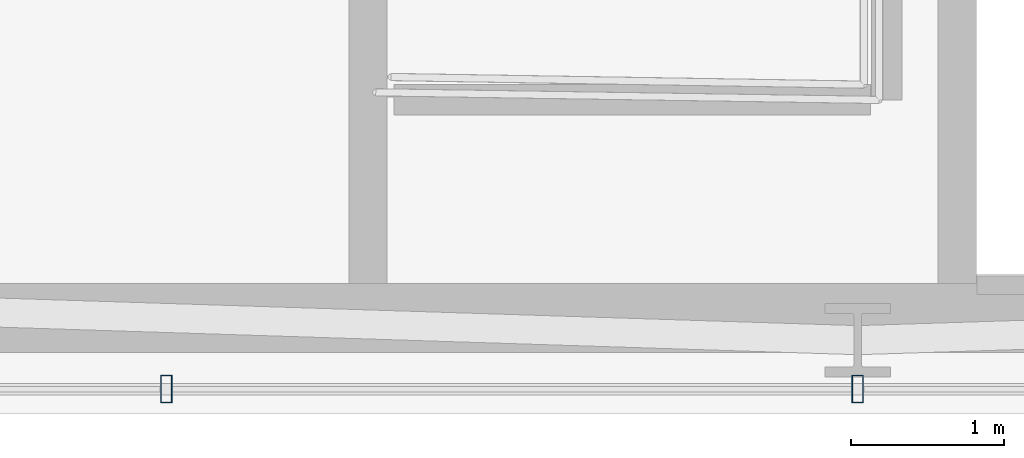
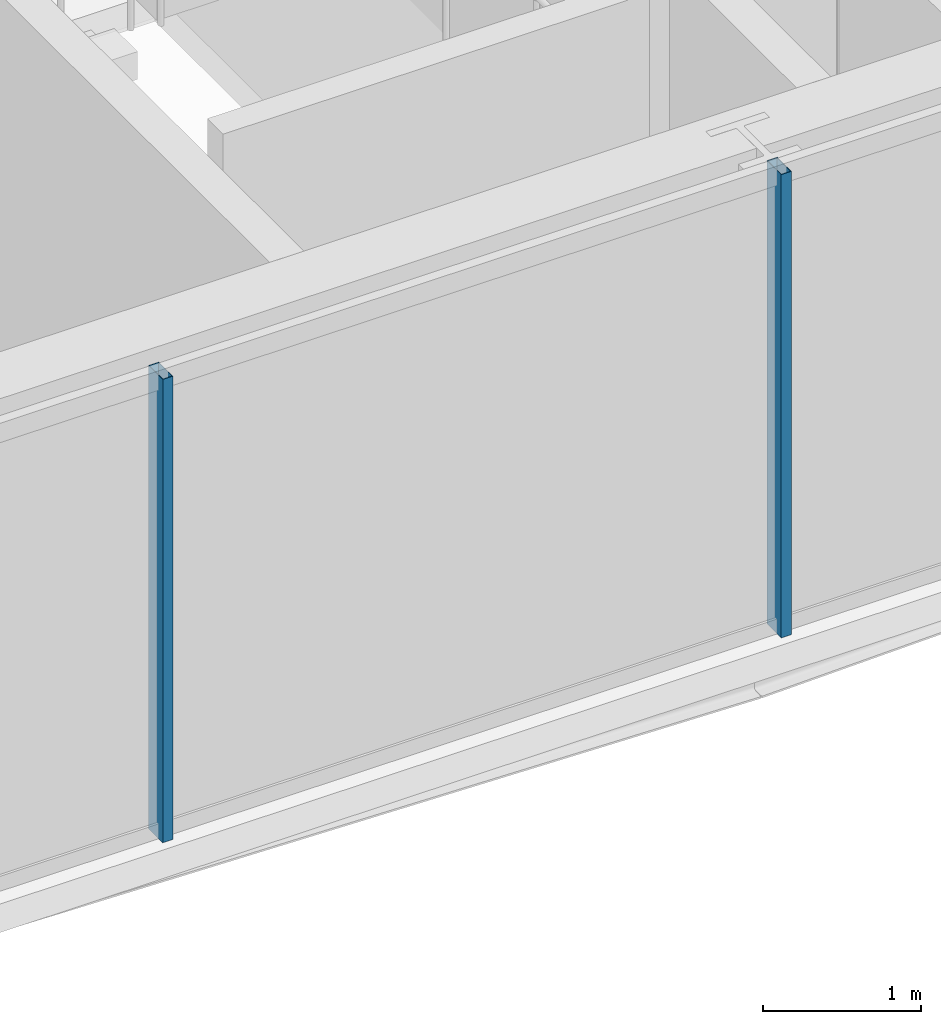
# One storey, part 7 of 32: 2 members, 1 element without a shape of its own.
"""IFC4 building model written with IfcOpenShell, lengths in metres."""

import ifcopenshell
import ifcopenshell.guid

model = None  # the IFC model being written
_history = None  # IfcOwnerHistory: only IFC2X3 demands one
_inside = {}  # id of a spatial element -> (the spatial element, [elements in it])
_under = {}  # id of a project, library or spatial element -> (it, [spatial elements below it])
_declared = {}  # id of a project -> (the project, [libraries it declares])
_typed = {}  # id of a type object -> (the type object, [elements of that type])
_made_of = {}  # id of a material, layer set ... -> (it, [elements and type objects made of it])


def new_model(schema):
    """Start an empty IFC model of exactly this schema.

    Asked for "IFC4X3", IfcOpenShell would pick the latest addendum, in which some entities
    have other attributes; the version numbers below select the first issue.
    IFC2X3 requires an IfcOwnerHistory on every rooted entity: one is made here for all.
    """
    global model, _history
    if schema == "IFC4X3":
        model = ifcopenshell.file(schema_version=(4, 3, 0, 0))
    else:
        model = ifcopenshell.file(schema=schema)
    _inside.clear()
    _under.clear()
    _declared.clear()
    _typed.clear()
    _made_of.clear()
    _history = None
    if model.schema == "IFC2X3":
        org = make("IfcOrganization", Name="unknown")
        user = make(
            "IfcPersonAndOrganization",
            ThePerson=make("IfcPerson", FamilyName="unknown"),
            TheOrganization=org,
        )
        app = make(
            "IfcApplication",
            ApplicationDeveloper=org,
            Version="unknown",
            ApplicationFullName="unknown",
            ApplicationIdentifier="unknown",
        )
        _history = make(
            "IfcOwnerHistory",
            OwningUser=user,
            OwningApplication=app,
            ChangeAction="ADDED",
            CreationDate=0,
        )
    return model


def make(cls, **values):
    """One entity of the class cls with the attributes given. An attribute that is None is left unset."""
    return model.create_entity(
        cls, **{name: value for name, value in values.items() if value is not None}
    )


def rooted(cls, **values):
    """An entity with a GlobalId (a new one), such as an element, a storey or a relation."""
    return make(cls, GlobalId=ifcopenshell.guid.new(), OwnerHistory=_history, **values)


def si_unit(unit_type, name, prefix=None):
    """IfcSIUnit, for example si_unit("LENGTHUNIT", "METRE", prefix="MILLI")."""
    return make("IfcSIUnit", UnitType=unit_type, Prefix=prefix, Name=name)


def assignment(units):
    """IfcUnitAssignment: the units of a project."""
    return None if units is None else make("IfcUnitAssignment", Units=units)


def point(xyz):
    """IfcCartesianPoint."""
    return None if xyz is None else make("IfcCartesianPoint", Coordinates=xyz)


def direction(xyz):
    """IfcDirection."""
    return None if xyz is None else make("IfcDirection", DirectionRatios=xyz)


def frame(location, z_axis=None, x_axis=None):
    """IfcAxis2Placement3D, a coordinate frame: its origin and axes. An axis left out is left unset."""
    return make(
        "IfcAxis2Placement3D",
        Location=point(location),
        Axis=direction(z_axis),
        RefDirection=direction(x_axis),
    )


def frame_2d(location, x_axis=None):
    """IfcAxis2Placement2D, a coordinate frame in the plane: its origin and x axis."""
    return make(
        "IfcAxis2Placement2D", Location=point(location), RefDirection=direction(x_axis)
    )


def origin():
    """The frame at (0, 0, 0) with its axes left unset."""
    return frame((0.0, 0.0, 0.0))


def origin_2d():
    """The frame at (0, 0) in the plane with its x axis left unset."""
    return frame_2d((0.0, 0.0))


def place(relative_to, where):
    """IfcLocalPlacement: puts the frame where relative to a parent placement (None: the world)."""
    return make(
        "IfcLocalPlacement", PlacementRelTo=relative_to, RelativePlacement=where
    )


def context(
    kind, dimensions, precision=None, world=None, true_north=None, identifier=None
):
    """IfcGeometricRepresentationContext, for example the 3D "Model" context."""
    return make(
        "IfcGeometricRepresentationContext",
        ContextIdentifier=identifier,
        ContextType=kind,
        CoordinateSpaceDimension=dimensions,
        Precision=precision,
        WorldCoordinateSystem=world,
        TrueNorth=true_north,
    )


def subcontext(parent, identifier, kind, view, scale=None):
    """IfcGeometricRepresentationSubContext, for example "Body" below "Model"."""
    return make(
        "IfcGeometricRepresentationSubContext",
        ContextIdentifier=identifier,
        ContextType=kind,
        ParentContext=parent,
        TargetScale=scale,
        TargetView=view,
    )


def project(units=None, contexts=None):
    """IfcProject with its units and contexts."""
    return rooted(
        "IfcProject",
        Name="project",
        RepresentationContexts=contexts,
        UnitsInContext=assignment(units),
    )


def spatial(cls, under=None, at=None, **own):
    """A site, building, storey or space (cls), placed at a placement, below another one or the project."""
    s = rooted(cls, ObjectPlacement=at, **own)
    if under is not None:
        _under.setdefault(under.id(), (under, []))[1].append(s)
    return s


def profile(cls, at=None, kind="AREA", **sizes):
    """A parametric profile (cls). Its sizes go by their IFC names, for example OverallWidth=200.0."""
    return make(cls, ProfileType=kind, Position=at, **sizes)


def hollow_rectangle(**sizes):
    """IfcRectangleHollowProfileDef."""
    return profile("IfcRectangleHollowProfileDef", **sizes)


def extrude(swept, where, along, depth):
    """IfcExtrudedAreaSolid: the profile swept, set in the frame where, extruded along a direction by depth."""
    return make(
        "IfcExtrudedAreaSolid",
        SweptArea=swept,
        Position=where,
        ExtrudedDirection=direction(along),
        Depth=depth,
    )


def shape(context_of_items, identifier, shape_type, items):
    """IfcShapeRepresentation: the items that make up one representation, for example the "Body"."""
    return make(
        "IfcShapeRepresentation",
        ContextOfItems=context_of_items,
        RepresentationIdentifier=identifier,
        RepresentationType=shape_type,
        Items=items,
    )


def material(Name=None, Category=None):
    """IfcMaterial."""
    return make("IfcMaterial", Name=Name, Category=Category)


def layer(
    of_material, thickness, ventilated=None, Name=None, Category=None, Priority=None
):
    """IfcMaterialLayer: one layer of a wall or slab, of a material (None: an air gap)."""
    return make(
        "IfcMaterialLayer",
        Material=of_material,
        LayerThickness=thickness,
        IsVentilated=ventilated,
        Name=Name,
        Category=Category,
        Priority=Priority,
    )


def layer_set(layers, Name=None):
    """IfcMaterialLayerSet."""
    return make("IfcMaterialLayerSet", MaterialLayers=layers, LayerSetName=Name)


def material_profile(
    of_material, cross_section, Name=None, Category=None, Priority=None
):
    """IfcMaterialProfile: a cross section and its material."""
    return make(
        "IfcMaterialProfile",
        Name=Name,
        Material=of_material,
        Profile=cross_section,
        Priority=Priority,
        Category=Category,
    )


def profile_set(profiles, Name=None, composite=None):
    """IfcMaterialProfileSet."""
    return make(
        "IfcMaterialProfileSet",
        Name=Name,
        MaterialProfiles=profiles,
        CompositeProfile=composite,
    )


def made_of(thing, what):
    """Note that an element or type object is made of a material, layer set ...; save() writes the relation."""
    if what is not None:
        _made_of.setdefault(what.id(), (what, []))[1].append(thing)
    return thing


def type_object(cls, material=None, **own):
    """A type object (cls), such as IfcWallType, which elements share."""
    return made_of(rooted(cls, **own), material)


def element(
    cls,
    number,
    at=None,
    inside=None,
    cuts=None,
    type_object=None,
    material=None,
    context=None,
    identifier="Body",
    shape_type=None,
    held_by="IfcProductDefinitionShape",
    body=None,
    shapes=None,
    **own,
):
    """One element of the class cls, such as IfcWall. Its Tag is "e" and its number.

    at: its placement. inside: the storey or other place that contains it. cuts: it is an
    opening in that element (IfcRelVoidsElement). A single representation is given by context,
    identifier, shape_type and body (its items); several are given by shapes. held_by: the class
    of the entity that holds the representations. save() writes the other relations.
    """
    e = rooted(cls, Tag="e%d" % number, ObjectPlacement=at, **own)
    if body is not None:
        shapes = [shape(context, identifier, shape_type, body)]
    if shapes is not None:
        e.Representation = make(held_by, Representations=shapes)
    if inside is not None:
        _inside.setdefault(inside.id(), (inside, []))[1].append(e)
    if cuts is not None:
        rooted(
            "IfcRelVoidsElement", RelatingBuildingElement=cuts, RelatedOpeningElement=e
        )
    if type_object is not None:
        _typed.setdefault(type_object.id(), (type_object, []))[1].append(e)
    return made_of(e, material)


def aggregate(whole, parts):
    """IfcRelAggregates: a whole, such as a stair, and the parts it consists of."""
    return rooted("IfcRelAggregates", RelatingObject=whole, RelatedObjects=parts)


def save(model, path):
    """Write the relations noted so far, then the file.

    IfcRelAggregates (storeys below a building ...), IfcRelContainedInSpatialStructure (elements
    in a storey), IfcRelDefinesByType, IfcRelAssociatesMaterial and IfcRelDeclares: one each for
    every whole, place, type object, material and project.
    """
    for whole, parts in _under.values():
        aggregate(whole, parts)
    for where, things in _inside.values():
        rooted(
            "IfcRelContainedInSpatialStructure",
            RelatedElements=things,
            RelatingStructure=where,
        )
    for kind, things in _typed.values():
        rooted("IfcRelDefinesByType", RelatedObjects=things, RelatingType=kind)
    for what, things in _made_of.values():
        rooted("IfcRelAssociatesMaterial", RelatedObjects=things, RelatingMaterial=what)
    for by, libraries in _declared.values():
        rooted("IfcRelDeclares", RelatingContext=by, RelatedDefinitions=libraries)
    model.write(path)


model = new_model("IFC4")

# Units and contexts
model_context = context("Model", 3, precision=1e-05, world=origin(), true_north=direction((0.0, 1.0)))
body_context = subcontext(model_context, "Body", "Model", "MODEL_VIEW")
ifc_project = project(units=[si_unit("LENGTHUNIT", "METRE"), si_unit("AREAUNIT", "SQUARE_METRE"), si_unit("VOLUMEUNIT", "CUBIC_METRE"), si_unit("PLANEANGLEUNIT", "RADIAN"), si_unit("MASSUNIT", "GRAM", prefix="KILO")], contexts=[model_context])

# Site, building, storey
site_placement = place(None, origin())
site = spatial("IfcSite", under=ifc_project, at=site_placement, CompositionType="ELEMENT")
building_placement = place(site_placement, origin())
building = spatial("IfcBuilding", under=site, at=building_placement, Name="Ndaravel Arena Tower", CompositionType="ELEMENT")
storey_placement = place(building_placement, frame((0.0, 0.0, 157.39990234375)))
storey = spatial("IfcBuildingStorey", under=building, at=storey_placement, Name="L37", CompositionType="ELEMENT", Elevation=157.39990234375)

# Curtain wall, members
ifc_material_1 = material(Name="Aluminium", Category="aluminium")
ifc_layer = layer(ifc_material_1, 0.179931640625)
ifc_layer_set = layer_set([ifc_layer], Name="Aluminium")
curtain_wall_type = type_object("IfcCurtainWallType", Name="CW-SYS-03", PredefinedType="NOTDEFINED", material=ifc_layer_set)
curtain_wall_placement = place(storey_placement, origin())
curtain_wall = element("IfcCurtainWall", 1, at=curtain_wall_placement, inside=storey, type_object=curtain_wall_type, Name="L37 Faceted Crystal Curtain Wall CW-L37-E01", PredefinedType="NOTDEFINED")
ifc_material_2 = material(Name="Aluminium", Category="aluminium")
ifc_material_profile = material_profile(ifc_material_2, hollow_rectangle(XDim=0.074951171875, YDim=0.179931640625, WallThickness=0.00390625, at=origin_2d()), Name="CW MULLION 75x180x4")
ifc_profile_set = profile_set([ifc_material_profile], Name="Aluminium")
member_type = type_object("IfcMemberType", Name="MEM-CW-MUL180", PredefinedType="MULLION", material=ifc_profile_set)
member_1_placement = place(storey_placement, frame((37.48095703125, 5.159912109375, 0.0), z_axis=(0.0, 0.0, 1.0), x_axis=(1.0, 0.0, 0.0)))
member_1 = element("IfcMember", 2, at=member_1_placement, type_object=member_type, Name="CW-L37-E01 Mullion 03", PredefinedType="MULLION", context=body_context, shape_type="SweptSolid", body=[
    extrude(hollow_rectangle(XDim=0.074951171875, YDim=0.179931640625, WallThickness=0.00390625, at=origin_2d()), origin(), (0.0, 0.0, 1.0), 3.580078125),
])
member_2_placement = place(storey_placement, frame((42.0, 5.159912109375, 0.0), z_axis=(0.0, 0.0, 1.0), x_axis=(1.0, 0.0, 0.0)))
member_2 = element("IfcMember", 3, at=member_2_placement, type_object=member_type, Name="CW-L37-E01 Mullion 04", PredefinedType="MULLION", context=body_context, shape_type="SweptSolid", body=[
    extrude(hollow_rectangle(XDim=0.074951171875, YDim=0.179931640625, WallThickness=0.00390625, at=origin_2d()), origin(), (0.0, 0.0, 1.0), 3.580078125),
])
aggregate(curtain_wall, [member_1, member_2])

save(model, "model.ifc")
